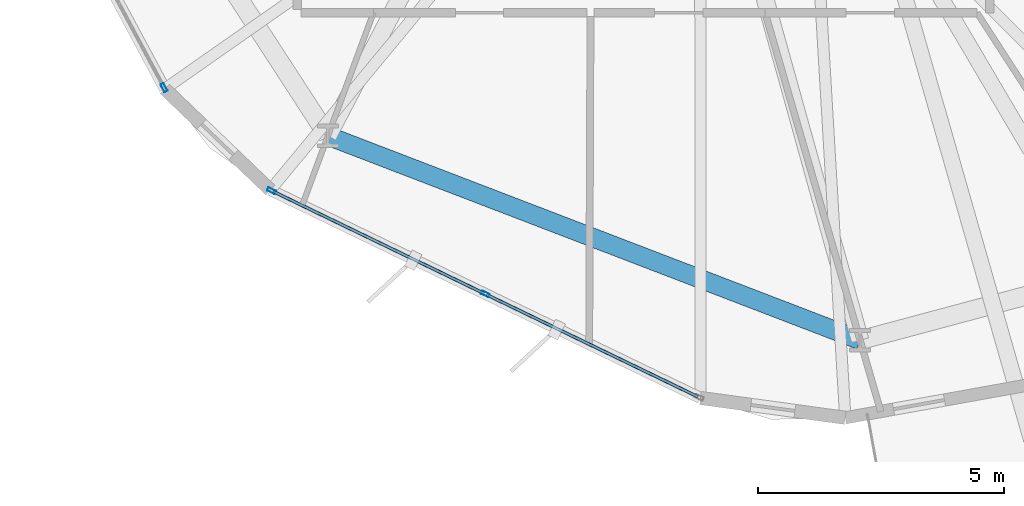
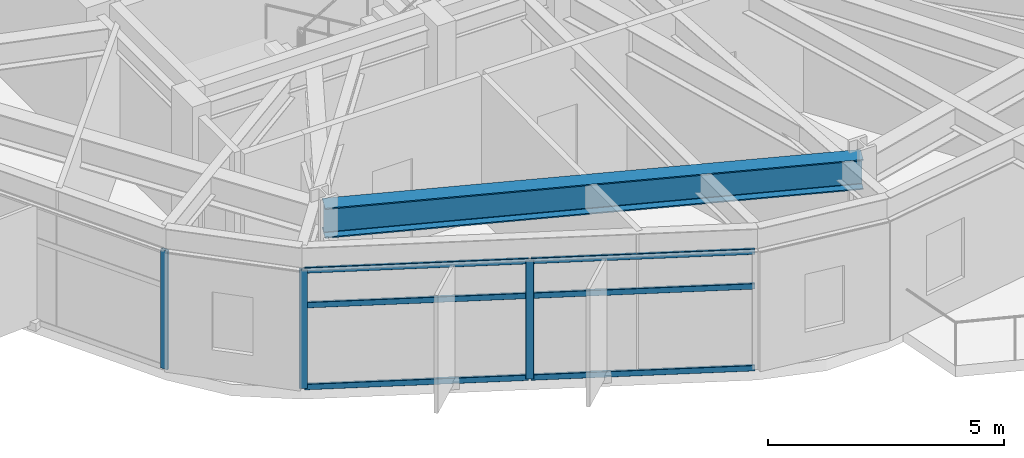
# One storey, part 2 of 22: 9 members, 1 beam, 2 elements without a shape of their own.
"""IFC4 building model written with IfcOpenShell, lengths in metres."""

import ifcopenshell
import ifcopenshell.guid

model = None  # the IFC model being written
_history = None  # IfcOwnerHistory: only IFC2X3 demands one
_inside = {}  # id of a spatial element -> (the spatial element, [elements in it])
_under = {}  # id of a project, library or spatial element -> (it, [spatial elements below it])
_declared = {}  # id of a project -> (the project, [libraries it declares])
_typed = {}  # id of a type object -> (the type object, [elements of that type])
_made_of = {}  # id of a material, layer set ... -> (it, [elements and type objects made of it])


def new_model(schema):
    """Start an empty IFC model of exactly this schema.

    Asked for "IFC4X3", IfcOpenShell would pick the latest addendum, in which some entities
    have other attributes; the version numbers below select the first issue.
    IFC2X3 requires an IfcOwnerHistory on every rooted entity: one is made here for all.
    """
    global model, _history
    if schema == "IFC4X3":
        model = ifcopenshell.file(schema_version=(4, 3, 0, 0))
    else:
        model = ifcopenshell.file(schema=schema)
    _inside.clear()
    _under.clear()
    _declared.clear()
    _typed.clear()
    _made_of.clear()
    _history = None
    if model.schema == "IFC2X3":
        org = make("IfcOrganization", Name="unknown")
        user = make(
            "IfcPersonAndOrganization",
            ThePerson=make("IfcPerson", FamilyName="unknown"),
            TheOrganization=org,
        )
        app = make(
            "IfcApplication",
            ApplicationDeveloper=org,
            Version="unknown",
            ApplicationFullName="unknown",
            ApplicationIdentifier="unknown",
        )
        _history = make(
            "IfcOwnerHistory",
            OwningUser=user,
            OwningApplication=app,
            ChangeAction="ADDED",
            CreationDate=0,
        )
    return model


def make(cls, **values):
    """One entity of the class cls with the attributes given. An attribute that is None is left unset."""
    return model.create_entity(
        cls, **{name: value for name, value in values.items() if value is not None}
    )


def rooted(cls, **values):
    """An entity with a GlobalId (a new one), such as an element, a storey or a relation."""
    return make(cls, GlobalId=ifcopenshell.guid.new(), OwnerHistory=_history, **values)


def si_unit(unit_type, name, prefix=None):
    """IfcSIUnit, for example si_unit("LENGTHUNIT", "METRE", prefix="MILLI")."""
    return make("IfcSIUnit", UnitType=unit_type, Prefix=prefix, Name=name)


def assignment(units):
    """IfcUnitAssignment: the units of a project."""
    return None if units is None else make("IfcUnitAssignment", Units=units)


def point(xyz):
    """IfcCartesianPoint."""
    return None if xyz is None else make("IfcCartesianPoint", Coordinates=xyz)


def direction(xyz):
    """IfcDirection."""
    return None if xyz is None else make("IfcDirection", DirectionRatios=xyz)


def frame(location, z_axis=None, x_axis=None):
    """IfcAxis2Placement3D, a coordinate frame: its origin and axes. An axis left out is left unset."""
    return make(
        "IfcAxis2Placement3D",
        Location=point(location),
        Axis=direction(z_axis),
        RefDirection=direction(x_axis),
    )


def frame_2d(location, x_axis=None):
    """IfcAxis2Placement2D, a coordinate frame in the plane: its origin and x axis."""
    return make(
        "IfcAxis2Placement2D", Location=point(location), RefDirection=direction(x_axis)
    )


def origin():
    """The frame at (0, 0, 0) with its axes left unset."""
    return frame((0.0, 0.0, 0.0))


def origin_2d():
    """The frame at (0, 0) in the plane with its x axis left unset."""
    return frame_2d((0.0, 0.0))


def place(relative_to, where):
    """IfcLocalPlacement: puts the frame where relative to a parent placement (None: the world)."""
    return make(
        "IfcLocalPlacement", PlacementRelTo=relative_to, RelativePlacement=where
    )


def context(
    kind, dimensions, precision=None, world=None, true_north=None, identifier=None
):
    """IfcGeometricRepresentationContext, for example the 3D "Model" context."""
    return make(
        "IfcGeometricRepresentationContext",
        ContextIdentifier=identifier,
        ContextType=kind,
        CoordinateSpaceDimension=dimensions,
        Precision=precision,
        WorldCoordinateSystem=world,
        TrueNorth=true_north,
    )


def subcontext(parent, identifier, kind, view, scale=None):
    """IfcGeometricRepresentationSubContext, for example "Body" below "Model"."""
    return make(
        "IfcGeometricRepresentationSubContext",
        ContextIdentifier=identifier,
        ContextType=kind,
        ParentContext=parent,
        TargetScale=scale,
        TargetView=view,
    )


def project(units=None, contexts=None):
    """IfcProject with its units and contexts."""
    return rooted(
        "IfcProject",
        Name="project",
        RepresentationContexts=contexts,
        UnitsInContext=assignment(units),
    )


def spatial(cls, under=None, at=None, **own):
    """A site, building, storey or space (cls), placed at a placement, below another one or the project."""
    s = rooted(cls, ObjectPlacement=at, **own)
    if under is not None:
        _under.setdefault(under.id(), (under, []))[1].append(s)
    return s


def profile(cls, at=None, kind="AREA", **sizes):
    """A parametric profile (cls). Its sizes go by their IFC names, for example OverallWidth=200.0."""
    return make(cls, ProfileType=kind, Position=at, **sizes)


def hollow_rectangle(**sizes):
    """IfcRectangleHollowProfileDef."""
    return profile("IfcRectangleHollowProfileDef", **sizes)


def i_section(**sizes):
    """IfcIShapeProfileDef."""
    return profile("IfcIShapeProfileDef", **sizes)


def extrude(swept, where, along, depth):
    """IfcExtrudedAreaSolid: the profile swept, set in the frame where, extruded along a direction by depth."""
    return make(
        "IfcExtrudedAreaSolid",
        SweptArea=swept,
        Position=where,
        ExtrudedDirection=direction(along),
        Depth=depth,
    )


def shape(context_of_items, identifier, shape_type, items):
    """IfcShapeRepresentation: the items that make up one representation, for example the "Body"."""
    return make(
        "IfcShapeRepresentation",
        ContextOfItems=context_of_items,
        RepresentationIdentifier=identifier,
        RepresentationType=shape_type,
        Items=items,
    )


def material(Name=None, Category=None):
    """IfcMaterial."""
    return make("IfcMaterial", Name=Name, Category=Category)


def layer(
    of_material, thickness, ventilated=None, Name=None, Category=None, Priority=None
):
    """IfcMaterialLayer: one layer of a wall or slab, of a material (None: an air gap)."""
    return make(
        "IfcMaterialLayer",
        Material=of_material,
        LayerThickness=thickness,
        IsVentilated=ventilated,
        Name=Name,
        Category=Category,
        Priority=Priority,
    )


def layer_set(layers, Name=None):
    """IfcMaterialLayerSet."""
    return make("IfcMaterialLayerSet", MaterialLayers=layers, LayerSetName=Name)


def material_profile(
    of_material, cross_section, Name=None, Category=None, Priority=None
):
    """IfcMaterialProfile: a cross section and its material."""
    return make(
        "IfcMaterialProfile",
        Name=Name,
        Material=of_material,
        Profile=cross_section,
        Priority=Priority,
        Category=Category,
    )


def profile_set(profiles, Name=None, composite=None):
    """IfcMaterialProfileSet."""
    return make(
        "IfcMaterialProfileSet",
        Name=Name,
        MaterialProfiles=profiles,
        CompositeProfile=composite,
    )


def made_of(thing, what):
    """Note that an element or type object is made of a material, layer set ...; save() writes the relation."""
    if what is not None:
        _made_of.setdefault(what.id(), (what, []))[1].append(thing)
    return thing


def type_object(cls, material=None, **own):
    """A type object (cls), such as IfcWallType, which elements share."""
    return made_of(rooted(cls, **own), material)


def element(
    cls,
    number,
    at=None,
    inside=None,
    cuts=None,
    type_object=None,
    material=None,
    context=None,
    identifier="Body",
    shape_type=None,
    held_by="IfcProductDefinitionShape",
    body=None,
    shapes=None,
    **own,
):
    """One element of the class cls, such as IfcWall. Its Tag is "e" and its number.

    at: its placement. inside: the storey or other place that contains it. cuts: it is an
    opening in that element (IfcRelVoidsElement). A single representation is given by context,
    identifier, shape_type and body (its items); several are given by shapes. held_by: the class
    of the entity that holds the representations. save() writes the other relations.
    """
    e = rooted(cls, Tag="e%d" % number, ObjectPlacement=at, **own)
    if body is not None:
        shapes = [shape(context, identifier, shape_type, body)]
    if shapes is not None:
        e.Representation = make(held_by, Representations=shapes)
    if inside is not None:
        _inside.setdefault(inside.id(), (inside, []))[1].append(e)
    if cuts is not None:
        rooted(
            "IfcRelVoidsElement", RelatingBuildingElement=cuts, RelatedOpeningElement=e
        )
    if type_object is not None:
        _typed.setdefault(type_object.id(), (type_object, []))[1].append(e)
    return made_of(e, material)


def aggregate(whole, parts):
    """IfcRelAggregates: a whole, such as a stair, and the parts it consists of."""
    return rooted("IfcRelAggregates", RelatingObject=whole, RelatedObjects=parts)


def save(model, path):
    """Write the relations noted so far, then the file.

    IfcRelAggregates (storeys below a building ...), IfcRelContainedInSpatialStructure (elements
    in a storey), IfcRelDefinesByType, IfcRelAssociatesMaterial and IfcRelDeclares: one each for
    every whole, place, type object, material and project.
    """
    for whole, parts in _under.values():
        aggregate(whole, parts)
    for where, things in _inside.values():
        rooted(
            "IfcRelContainedInSpatialStructure",
            RelatedElements=things,
            RelatingStructure=where,
        )
    for kind, things in _typed.values():
        rooted("IfcRelDefinesByType", RelatedObjects=things, RelatingType=kind)
    for what, things in _made_of.values():
        rooted("IfcRelAssociatesMaterial", RelatedObjects=things, RelatingMaterial=what)
    for by, libraries in _declared.values():
        rooted("IfcRelDeclares", RelatingContext=by, RelatedDefinitions=libraries)
    model.write(path)


model = new_model("IFC4")

# Units and contexts
model_context = context("Model", 3, precision=1e-05, world=origin(), true_north=direction((0.0, 1.0)))
body_context = subcontext(model_context, "Body", "Model", "MODEL_VIEW")
ifc_project = project(units=[si_unit("LENGTHUNIT", "METRE"), si_unit("AREAUNIT", "SQUARE_METRE"), si_unit("VOLUMEUNIT", "CUBIC_METRE"), si_unit("PLANEANGLEUNIT", "RADIAN"), si_unit("MASSUNIT", "GRAM", prefix="KILO")], contexts=[model_context])

# Site, building, storey
site_placement = place(None, origin())
site = spatial("IfcSite", under=ifc_project, at=site_placement, CompositionType="ELEMENT")
building_placement = place(site_placement, origin())
building = spatial("IfcBuilding", under=site, at=building_placement, Name="Soratama Intermodal Tower", CompositionType="ELEMENT")
storey_placement = place(building_placement, frame((0.0, 0.0, 66.60009765625)))
storey = spatial("IfcBuildingStorey", under=building, at=storey_placement, Name="L15", CompositionType="ELEMENT", Elevation=66.60009765625)

# Beam
ifc_material_1 = material(Name="Structural steel ASTM A992 Grade 50", Category="steel")
ifc_material_profile_1 = material_profile(ifc_material_1, i_section(OverallWidth=0.382080078125, OverallDepth=0.779052734375, WebThickness=0.01806640625, FlangeThickness=0.030029296875, FilletRadius=0.01806640625, at=origin_2d()), Name="W30X191")
ifc_profile_set_1 = profile_set([ifc_material_profile_1], Name="Structural steel ASTM A992 Grade 50")
beam_type = type_object("IfcBeamType", Name="BM-RING-W30X191", PredefinedType="BEAM", material=ifc_profile_set_1)
beam_placement = place(storey_placement, frame((33.218994140625, 10.451904296875, 3.310302734375), z_axis=(0.933584159632, -0.358358224246, 0.0), x_axis=(0.358358224246, 0.933584159632, 0.0)))
element("IfcBeam", 1, at=beam_placement, inside=storey, type_object=beam_type, Name="BM-L15-RING-07", PredefinedType="BEAM", context=body_context, shape_type="SweptSolid", body=[
    extrude(i_section(OverallWidth=0.382080078125, OverallDepth=0.779052734375, WebThickness=0.01806640625, FlangeThickness=0.030029296875, FilletRadius=0.01806640625, at=origin_2d()), origin(), (0.0, 0.0, 1.0), 11.5693359375),
])

# Curtain wall, member
ifc_material_2 = material(Name="Double-glazed aluminium curtain wall", Category="aluminium")
ifc_layer = layer(ifc_material_2, 0.159912109375)
ifc_layer_set = layer_set([ifc_layer], Name="Double-glazed aluminium curtain wall")
curtain_wall_type = type_object("IfcCurtainWallType", Name="CW-SYS-2", PredefinedType="NOTDEFINED", material=ifc_layer_set)
curtain_wall_1_placement = place(storey_placement, origin())
curtain_wall_1 = element("IfcCurtainWall", 2, at=curtain_wall_1_placement, inside=storey, type_object=curtain_wall_type, Name="L15 Faceted Curtain Wall F06", PredefinedType="NOTDEFINED")
ifc_material_3 = material(Name="Anodised aluminium AA 6063-T6", Category="aluminium")
ifc_material_profile_2 = material_profile(ifc_material_3, hollow_rectangle(XDim=0.074951171875, YDim=0.179931640625, WallThickness=0.006103515625, InnerFilletRadius=0.006103515625, OuterFilletRadius=0.011962890625, at=origin_2d()), Name="CWM180X75X6")
ifc_profile_set_2 = profile_set([ifc_material_profile_2], Name="Anodised aluminium AA 6063-T6")
member_type_1 = type_object("IfcMemberType", Name="MT-CWM-2", PredefinedType="MULLION", material=ifc_profile_set_2)
member_1_placement = place(storey_placement, frame((29.894775390625, 11.4326171875, 0.0), z_axis=(0.0, 0.0, 1.0), x_axis=(0.881303777176, 0.47255015854, 0.0)))
member_1 = element("IfcMember", 3, at=member_1_placement, type_object=member_type_1, Name="CW-2 mullion 3", PredefinedType="MULLION", context=body_context, shape_type="SweptSolid", body=[
    extrude(hollow_rectangle(XDim=0.074951171875, YDim=0.179931640625, WallThickness=0.006103515625, InnerFilletRadius=0.006103515625, OuterFilletRadius=0.011962890625, at=origin_2d()), origin(), (0.0, 0.0, 1.0), 3.078857421875),
])
aggregate(curtain_wall_1, [member_1])

# Curtain wall, members
curtain_wall_2_placement = place(storey_placement, origin())
curtain_wall_2 = element("IfcCurtainWall", 4, at=curtain_wall_2_placement, inside=storey, type_object=curtain_wall_type, Name="L15 Faceted Curtain Wall F07", PredefinedType="NOTDEFINED")
member_2_placement = place(storey_placement, frame((32.076904296875, 9.33984375, 0.0), z_axis=(0.0, 0.0, 1.0), x_axis=(0.435224802543, 0.900321815381, 0.0)))
member_2 = element("IfcMember", 5, at=member_2_placement, type_object=member_type_1, Name="CW-2 mullion 1", PredefinedType="MULLION", context=body_context, shape_type="SweptSolid", body=[
    extrude(hollow_rectangle(XDim=0.074951171875, YDim=0.179931640625, WallThickness=0.006103515625, InnerFilletRadius=0.006103515625, OuterFilletRadius=0.011962890625, at=origin_2d()), origin(), (0.0, 0.0, 1.0), 3.078857421875),
])
member_3_placement = place(storey_placement, frame((36.415771484375, 7.242431640625, 0.0), z_axis=(0.0, 0.0, 1.0), x_axis=(0.435224802543, 0.900321815381, 0.0)))
member_3 = element("IfcMember", 6, at=member_3_placement, type_object=member_type_1, Name="CW-2 mullion 2", PredefinedType="MULLION", context=body_context, shape_type="SweptSolid", body=[
    extrude(hollow_rectangle(XDim=0.074951171875, YDim=0.179931640625, WallThickness=0.006103515625, InnerFilletRadius=0.006103515625, OuterFilletRadius=0.011962890625, at=origin_2d()), origin(), (0.0, 0.0, 1.0), 3.078857421875),
])
ifc_material_4 = material(Name="Anodised aluminium AA 6063-T6", Category="aluminium")
ifc_material_profile_3 = material_profile(ifc_material_4, hollow_rectangle(XDim=0.06494140625, YDim=0.14990234375, WallThickness=0.0048828125, InnerFilletRadius=0.0048828125, OuterFilletRadius=0.010009765625, at=origin_2d()), Name="CWT150X65X5")
ifc_profile_set_3 = profile_set([ifc_material_profile_3], Name="Anodised aluminium AA 6063-T6")
member_type_2 = type_object("IfcMemberType", Name="TT-CWT-1", PredefinedType="USERDEFINED", material=ifc_profile_set_3)
member_4_placement = place(storey_placement, frame((32.10400390625, 9.32666015625, 0.02978515625), z_axis=(0.900318801263, -0.435231037602, 0.0), x_axis=(0.435231037602, 0.900318801263, 0.0)))
member_4 = element("IfcMember", 7, at=member_4_placement, type_object=member_type_2, Name="CW-2 transom 1.1", ObjectType="TRANSOM", PredefinedType="USERDEFINED", context=body_context, shape_type="SweptSolid", body=[
    extrude(hollow_rectangle(XDim=0.06494140625, YDim=0.14990234375, WallThickness=0.0048828125, InnerFilletRadius=0.0048828125, OuterFilletRadius=0.010009765625, at=origin_2d()), origin(), (0.0, 0.0, 1.0), 4.759033203125),
])
member_5_placement = place(storey_placement, frame((32.10400390625, 9.32666015625, 2.14990234375), z_axis=(0.900318801263, -0.435231037602, 0.0), x_axis=(0.435231037602, 0.900318801263, 0.0)))
member_5 = element("IfcMember", 8, at=member_5_placement, type_object=member_type_2, Name="CW-2 transom 1.2", ObjectType="TRANSOM", PredefinedType="USERDEFINED", context=body_context, shape_type="SweptSolid", body=[
    extrude(hollow_rectangle(XDim=0.06494140625, YDim=0.14990234375, WallThickness=0.0048828125, InnerFilletRadius=0.0048828125, OuterFilletRadius=0.010009765625, at=origin_2d()), origin(), (0.0, 0.0, 1.0), 4.759033203125),
])
member_6_placement = place(storey_placement, frame((32.10400390625, 9.32666015625, 3.048828125), z_axis=(0.900318801263, -0.435231037602, 0.0), x_axis=(0.435231037602, 0.900318801263, 0.0)))
member_6 = element("IfcMember", 9, at=member_6_placement, type_object=member_type_2, Name="CW-2 transom 1.3", ObjectType="TRANSOM", PredefinedType="USERDEFINED", context=body_context, shape_type="SweptSolid", body=[
    extrude(hollow_rectangle(XDim=0.06494140625, YDim=0.14990234375, WallThickness=0.0048828125, InnerFilletRadius=0.0048828125, OuterFilletRadius=0.010009765625, at=origin_2d()), origin(), (0.0, 0.0, 1.0), 4.759033203125),
])
member_7_placement = place(storey_placement, frame((36.442626953125, 7.229248046875, 0.02978515625), z_axis=(0.900338902571, -0.435189453591, 0.0), x_axis=(0.435189453591, 0.900338902571, 0.0)))
member_7 = element("IfcMember", 10, at=member_7_placement, type_object=member_type_2, Name="CW-2 transom 2.1", ObjectType="TRANSOM", PredefinedType="USERDEFINED", context=body_context, shape_type="SweptSolid", body=[
    extrude(hollow_rectangle(XDim=0.06494140625, YDim=0.14990234375, WallThickness=0.0048828125, InnerFilletRadius=0.0048828125, OuterFilletRadius=0.010009765625, at=origin_2d()), origin(), (0.0, 0.0, 1.0), 4.759033203125),
])
member_8_placement = place(storey_placement, frame((36.442626953125, 7.229248046875, 2.14990234375), z_axis=(0.900338902571, -0.435189453591, 0.0), x_axis=(0.435189453591, 0.900338902571, 0.0)))
member_8 = element("IfcMember", 11, at=member_8_placement, type_object=member_type_2, Name="CW-2 transom 2.2", ObjectType="TRANSOM", PredefinedType="USERDEFINED", context=body_context, shape_type="SweptSolid", body=[
    extrude(hollow_rectangle(XDim=0.06494140625, YDim=0.14990234375, WallThickness=0.0048828125, InnerFilletRadius=0.0048828125, OuterFilletRadius=0.010009765625, at=origin_2d()), origin(), (0.0, 0.0, 1.0), 4.759033203125),
])
member_9_placement = place(storey_placement, frame((36.442626953125, 7.229248046875, 3.048828125), z_axis=(0.900338902571, -0.435189453591, 0.0), x_axis=(0.435189453591, 0.900338902571, 0.0)))
member_9 = element("IfcMember", 12, at=member_9_placement, type_object=member_type_2, Name="CW-2 transom 2.3", ObjectType="TRANSOM", PredefinedType="USERDEFINED", context=body_context, shape_type="SweptSolid", body=[
    extrude(hollow_rectangle(XDim=0.06494140625, YDim=0.14990234375, WallThickness=0.0048828125, InnerFilletRadius=0.0048828125, OuterFilletRadius=0.010009765625, at=origin_2d()), origin(), (0.0, 0.0, 1.0), 4.759033203125),
])
aggregate(curtain_wall_2, [member_2, member_3, member_4, member_5, member_6, member_7, member_8, member_9])

save(model, "model.ifc")
